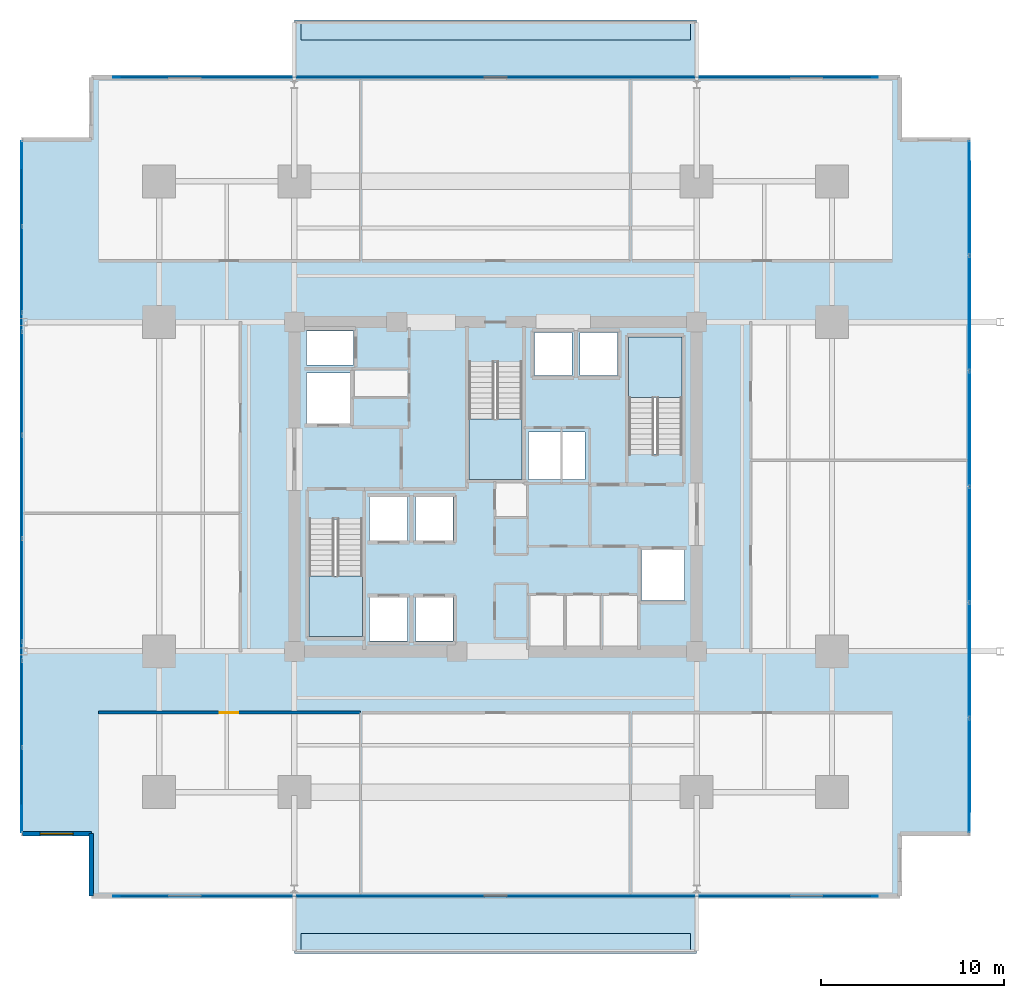
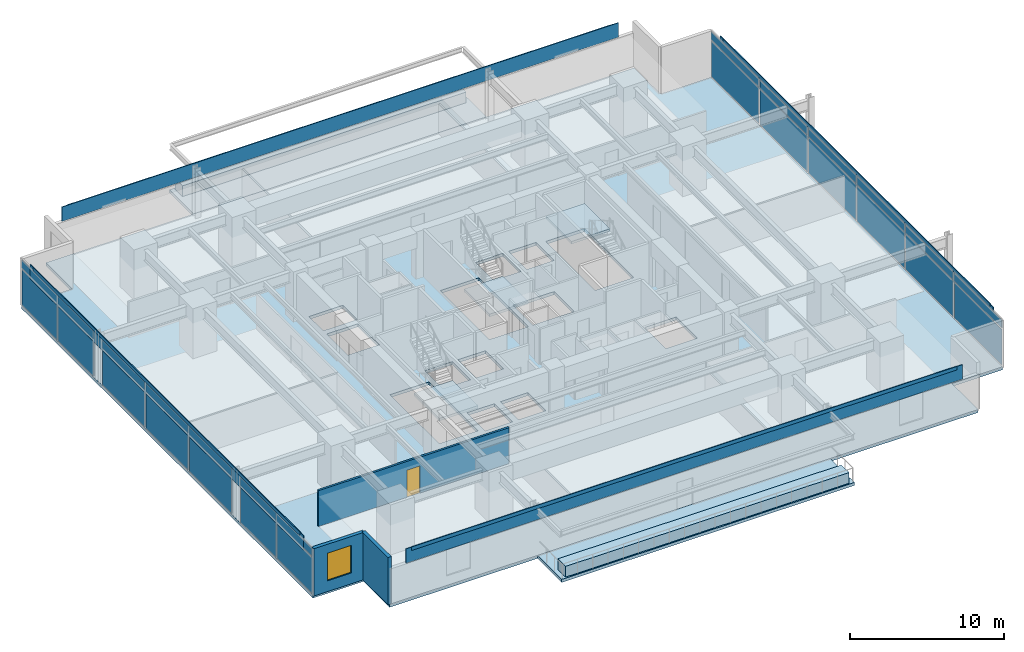
# One storey, part 14 of 23: 34 plates, 8 slabs, 3 walls, 1 door, 1 window, 2 openings, 7 elements without a shape of their own.
"""IFC4 building model written with IfcOpenShell, lengths in metres."""

from ifc_helpers import new_model, si_unit, direction, frame, frame_2d, origin, origin_2d, place, context, subcontext, project, spatial, polyline, rectangle, outline, extrude, material, layer, layer_set, type_object, element, fill, aggregate, save


model = new_model("IFC4")

# Units and contexts
model_context = context("Model", 3, precision=1e-05, world=origin(), true_north=direction((0.0, 1.0)))
body_context = subcontext(model_context, "Body", "Model", "MODEL_VIEW")
ifc_project = project(units=[si_unit("LENGTHUNIT", "METRE"), si_unit("AREAUNIT", "SQUARE_METRE"), si_unit("VOLUMEUNIT", "CUBIC_METRE"), si_unit("PLANEANGLEUNIT", "RADIAN"), si_unit("MASSUNIT", "GRAM", prefix="KILO")], contexts=[model_context])

# Site, building, storey
site_placement = place(None, origin())
site = spatial("IfcSite", under=ifc_project, at=site_placement, CompositionType="ELEMENT")
building_placement = place(site_placement, origin())
building = spatial("IfcBuilding", under=site, at=building_placement, Name="Kovane Verandah Tower", CompositionType="ELEMENT")
storey_placement = place(building_placement, frame((0.0, 0.0, 63.60009765625)))
storey = spatial("IfcBuildingStorey", under=building, at=storey_placement, Name="L14", CompositionType="ELEMENT", Elevation=63.60009765625)

# Curtain wall, plates
ifc_material_1 = material(Name="Champagne Anodised Aluminium Frame with Low-E Clear Laminated Glass", Category="aluminium")
curtain_wall_type = type_object("IfcCurtainWallType", Name="CW-SYS-02-LOW", PredefinedType="NOTDEFINED", material=ifc_material_1)
curtain_wall_1_placement = place(storey_placement, origin())
curtain_wall_1 = element("IfcCurtainWall", 1, at=curtain_wall_1_placement, inside=storey, type_object=curtain_wall_type, Name="L14 E Unitised Curtain Wall", PredefinedType="NOTDEFINED")
ifc_material_2 = material(Name="Pale Champagne Anodised Aluminium Insulated Spandrel", Category="aluminium")
ifc_layer_1 = layer(ifc_material_2, 0.0400390625)
ifc_layer_set_1 = layer_set([ifc_layer_1], Name="Pale Champagne Anodised Aluminium Insulated Spandrel")
plate_type_1 = type_object("IfcPlateType", Name="PL-CW-SPD-40", PredefinedType="SHEET", material=ifc_layer_set_1)
plate_1_placement = place(storey_placement, frame((65.906982421875, 11.6875, 3.02978515625), z_axis=(0.0, 0.0, 1.0), x_axis=(0.0, 1.0, 0.0)))
plate_1 = element("IfcPlate", 2, at=plate_1_placement, type_object=plate_type_1, Name="L14 E Unitised Curtain Wall Spandrel Panel 1", PredefinedType="SHEET", context=body_context, shape_type="SweptSolid", body=[
    extrude(rectangle(XDim=6.18505859375, YDim=0.0400390625, at=origin_2d()), origin(), (0.0, 0.0, 1.0), 0.639892578125),
])
plate_2_placement = place(storey_placement, frame((65.906982421875, 18.012451171875, 3.02978515625), z_axis=(0.0, 0.0, 1.0), x_axis=(0.0, 1.0, 0.0)))
plate_2 = element("IfcPlate", 3, at=plate_2_placement, type_object=plate_type_1, Name="L14 E Unitised Curtain Wall Spandrel Panel 2", PredefinedType="SHEET", context=body_context, shape_type="SweptSolid", body=[
    extrude(rectangle(XDim=6.18505859375, YDim=0.0400390625, at=origin_2d()), origin(), (0.0, 0.0, 1.0), 0.639892578125),
])
plate_3_placement = place(storey_placement, frame((65.906982421875, 24.33740234375, 3.02978515625), z_axis=(0.0, 0.0, 1.0), x_axis=(0.0, 1.0, 0.0)))
plate_3 = element("IfcPlate", 4, at=plate_3_placement, type_object=plate_type_1, Name="L14 E Unitised Curtain Wall Spandrel Panel 3", PredefinedType="SHEET", context=body_context, shape_type="SweptSolid", body=[
    extrude(rectangle(XDim=6.18505859375, YDim=0.0400390625, at=origin_2d()), origin(), (0.0, 0.0, 1.0), 0.639892578125),
])
plate_4_placement = place(storey_placement, frame((65.906982421875, 30.66259765625, 3.02978515625), z_axis=(0.0, 0.0, 1.0), x_axis=(0.0, 1.0, 0.0)))
plate_4 = element("IfcPlate", 5, at=plate_4_placement, type_object=plate_type_1, Name="L14 E Unitised Curtain Wall Spandrel Panel 4", PredefinedType="SHEET", context=body_context, shape_type="SweptSolid", body=[
    extrude(rectangle(XDim=6.18505859375, YDim=0.0400390625, at=origin_2d()), origin(), (0.0, 0.0, 1.0), 0.639892578125),
])
plate_5_placement = place(storey_placement, frame((65.906982421875, 36.987548828125, 3.02978515625), z_axis=(0.0, 0.0, 1.0), x_axis=(0.0, 1.0, 0.0)))
plate_5 = element("IfcPlate", 6, at=plate_5_placement, type_object=plate_type_1, Name="L14 E Unitised Curtain Wall Spandrel Panel 5", PredefinedType="SHEET", context=body_context, shape_type="SweptSolid", body=[
    extrude(rectangle(XDim=6.18505859375, YDim=0.0400390625, at=origin_2d()), origin(), (0.0, 0.0, 1.0), 0.639892578125),
])
plate_6_placement = place(storey_placement, frame((65.906982421875, 43.3125, 3.02978515625), z_axis=(0.0, 0.0, 1.0), x_axis=(0.0, 1.0, 0.0)))
plate_6 = element("IfcPlate", 7, at=plate_6_placement, type_object=plate_type_1, Name="L14 E Unitised Curtain Wall Spandrel Panel 6", PredefinedType="SHEET", context=body_context, shape_type="SweptSolid", body=[
    extrude(rectangle(XDim=6.18505859375, YDim=0.0400390625, at=origin_2d()), origin(), (0.0, 0.0, 1.0), 0.639892578125),
])

curtain_wall_2_placement = place(storey_placement, origin())
curtain_wall_2 = element("IfcCurtainWall", 8, at=curtain_wall_2_placement, inside=storey, type_object=curtain_wall_type, Name="L14 W Unitised Curtain Wall-1", PredefinedType="NOTDEFINED")
plate_7_placement = place(storey_placement, frame((14.093017578125, 44.111083984375, 3.02978515625), z_axis=(0.0, 0.0, 1.0), x_axis=(0.0, -1.0, 0.0)))
plate_7 = element("IfcPlate", 9, at=plate_7_placement, type_object=plate_type_1, Name="L14 W Unitised Curtain Wall-1 Spandrel Panel 1", PredefinedType="SHEET", context=body_context, shape_type="SweptSolid", body=[
    extrude(rectangle(XDim=4.58740234375, YDim=0.0400390625, at=origin_2d()), origin(), (0.0, 0.0, 1.0), 0.639892578125),
])
plate_8_placement = place(storey_placement, frame((14.093017578125, 39.3837890625, 3.02978515625), z_axis=(0.0, 0.0, 1.0), x_axis=(0.0, -1.0, 0.0)))
plate_8 = element("IfcPlate", 10, at=plate_8_placement, type_object=plate_type_1, Name="L14 W Unitised Curtain Wall-1 Spandrel Panel 2", PredefinedType="SHEET", context=body_context, shape_type="SweptSolid", body=[
    extrude(rectangle(XDim=4.58740234375, YDim=0.0400390625, at=origin_2d()), origin(), (0.0, 0.0, 1.0), 0.639892578125),
])

curtain_wall_3_placement = place(storey_placement, origin())
curtain_wall_3 = element("IfcCurtainWall", 11, at=curtain_wall_3_placement, inside=storey, type_object=curtain_wall_type, Name="L14 W Unitised Curtain Wall-2", PredefinedType="NOTDEFINED")
plate_9_placement = place(storey_placement, frame((14.093017578125, 33.1533203125, 3.02978515625), z_axis=(0.0, 0.0, 1.0), x_axis=(0.0, -1.0, 0.0)))
plate_9 = element("IfcPlate", 12, at=plate_9_placement, type_object=plate_type_1, Name="L14 W Unitised Curtain Wall-2 Spandrel Panel 1", PredefinedType="SHEET", context=body_context, shape_type="SweptSolid", body=[
    extrude(rectangle(XDim=5.51318359375, YDim=0.0400390625, at=origin_2d()), origin(), (0.0, 0.0, 1.0), 0.639892578125),
])
plate_10_placement = place(storey_placement, frame((14.093017578125, 27.5, 3.02978515625), z_axis=(0.0, 0.0, 1.0), x_axis=(0.0, -1.0, 0.0)))
plate_10 = element("IfcPlate", 13, at=plate_10_placement, type_object=plate_type_1, Name="L14 W Unitised Curtain Wall-2 Spandrel Panel 2", PredefinedType="SHEET", context=body_context, shape_type="SweptSolid", body=[
    extrude(rectangle(XDim=5.51318359375, YDim=0.0400390625, at=origin_2d()), origin(), (0.0, 0.0, 1.0), 0.639892578125),
])
plate_11_placement = place(storey_placement, frame((14.093017578125, 21.8466796875, 3.02978515625), z_axis=(0.0, 0.0, 1.0), x_axis=(0.0, -1.0, 0.0)))
plate_11 = element("IfcPlate", 14, at=plate_11_placement, type_object=plate_type_1, Name="L14 W Unitised Curtain Wall-2 Spandrel Panel 3", PredefinedType="SHEET", context=body_context, shape_type="SweptSolid", body=[
    extrude(rectangle(XDim=5.51318359375, YDim=0.0400390625, at=origin_2d()), origin(), (0.0, 0.0, 1.0), 0.639892578125),
])

curtain_wall_4_placement = place(storey_placement, origin())
curtain_wall_4 = element("IfcCurtainWall", 15, at=curtain_wall_4_placement, inside=storey, type_object=curtain_wall_type, Name="L14 W Unitised Curtain Wall-3", PredefinedType="NOTDEFINED")
plate_12_placement = place(storey_placement, frame((14.093017578125, 15.6162109375, 3.02978515625), z_axis=(0.0, 0.0, 1.0), x_axis=(0.0, -1.0, 0.0)))
plate_12 = element("IfcPlate", 16, at=plate_12_placement, type_object=plate_type_1, Name="L14 W Unitised Curtain Wall-3 Spandrel Panel 1", PredefinedType="SHEET", context=body_context, shape_type="SweptSolid", body=[
    extrude(rectangle(XDim=4.58740234375, YDim=0.0400390625, at=origin_2d()), origin(), (0.0, 0.0, 1.0), 0.639892578125),
])
plate_13_placement = place(storey_placement, frame((14.093017578125, 10.888916015625, 3.02978515625), z_axis=(0.0, 0.0, 1.0), x_axis=(0.0, -1.0, 0.0)))
plate_13 = element("IfcPlate", 17, at=plate_13_placement, type_object=plate_type_1, Name="L14 W Unitised Curtain Wall-3 Spandrel Panel 2", PredefinedType="SHEET", context=body_context, shape_type="SweptSolid", body=[
    extrude(rectangle(XDim=4.58740234375, YDim=0.0400390625, at=origin_2d()), origin(), (0.0, 0.0, 1.0), 0.639892578125),
])

# Plate
ifc_material_3 = material(Name="Clear Low-E Laminated Double Glazing", Category="glass")
ifc_layer_2 = layer(ifc_material_3, 0.031982421875)
ifc_layer_set_2 = layer_set([ifc_layer_2], Name="Clear Low-E Laminated Double Glazing")
plate_type_2 = type_object("IfcPlateType", Name="PL-CW-VIS-32", PredefinedType="CURTAIN_PANEL", material=ifc_layer_set_2)
plate_14_placement = place(storey_placement, frame((65.906982421875, 11.6875, 0.099853515625), z_axis=(0.0, 0.0, 1.0), x_axis=(0.0, 1.0, 0.0)))
plate_14 = element("IfcPlate", 18, at=plate_14_placement, type_object=plate_type_2, Name="L14 E Unitised Curtain Wall Vision Panel 1", PredefinedType="CURTAIN_PANEL", context=body_context, shape_type="SweptSolid", body=[
    extrude(rectangle(XDim=6.18505859375, YDim=0.031982421875, at=origin_2d()), origin(), (0.0, 0.0, 1.0), 2.830078125),
])

plate_15_placement = place(storey_placement, frame((65.906982421875, 18.012451171875, 0.099853515625), z_axis=(0.0, 0.0, 1.0), x_axis=(0.0, 1.0, 0.0)))
plate_15 = element("IfcPlate", 19, at=plate_15_placement, type_object=plate_type_2, Name="L14 E Unitised Curtain Wall Vision Panel 2", PredefinedType="CURTAIN_PANEL", context=body_context, shape_type="SweptSolid", body=[
    extrude(rectangle(XDim=6.18505859375, YDim=0.031982421875, at=origin_2d()), origin(), (0.0, 0.0, 1.0), 2.830078125),
])

plate_16_placement = place(storey_placement, frame((65.906982421875, 24.33740234375, 0.099853515625), z_axis=(0.0, 0.0, 1.0), x_axis=(0.0, 1.0, 0.0)))
plate_16 = element("IfcPlate", 20, at=plate_16_placement, type_object=plate_type_2, Name="L14 E Unitised Curtain Wall Vision Panel 3", PredefinedType="CURTAIN_PANEL", context=body_context, shape_type="SweptSolid", body=[
    extrude(rectangle(XDim=6.18505859375, YDim=0.031982421875, at=origin_2d()), origin(), (0.0, 0.0, 1.0), 2.830078125),
])

plate_17_placement = place(storey_placement, frame((65.906982421875, 30.66259765625, 0.099853515625), z_axis=(0.0, 0.0, 1.0), x_axis=(0.0, 1.0, 0.0)))
plate_17 = element("IfcPlate", 21, at=plate_17_placement, type_object=plate_type_2, Name="L14 E Unitised Curtain Wall Vision Panel 4", PredefinedType="CURTAIN_PANEL", context=body_context, shape_type="SweptSolid", body=[
    extrude(rectangle(XDim=6.18505859375, YDim=0.031982421875, at=origin_2d()), origin(), (0.0, 0.0, 1.0), 2.830078125),
])

plate_18_placement = place(storey_placement, frame((65.906982421875, 36.987548828125, 0.099853515625), z_axis=(0.0, 0.0, 1.0), x_axis=(0.0, 1.0, 0.0)))
plate_18 = element("IfcPlate", 22, at=plate_18_placement, type_object=plate_type_2, Name="L14 E Unitised Curtain Wall Vision Panel 5", PredefinedType="CURTAIN_PANEL", context=body_context, shape_type="SweptSolid", body=[
    extrude(rectangle(XDim=6.18505859375, YDim=0.031982421875, at=origin_2d()), origin(), (0.0, 0.0, 1.0), 2.830078125),
])

plate_19_placement = place(storey_placement, frame((65.906982421875, 43.3125, 0.099853515625), z_axis=(0.0, 0.0, 1.0), x_axis=(0.0, 1.0, 0.0)))
plate_19 = element("IfcPlate", 23, at=plate_19_placement, type_object=plate_type_2, Name="L14 E Unitised Curtain Wall Vision Panel 6", PredefinedType="CURTAIN_PANEL", context=body_context, shape_type="SweptSolid", body=[
    extrude(rectangle(XDim=6.18505859375, YDim=0.031982421875, at=origin_2d()), origin(), (0.0, 0.0, 1.0), 2.830078125),
])

aggregate(curtain_wall_1, [plate_14, plate_1, plate_15, plate_2, plate_16, plate_3, plate_17, plate_4, plate_18, plate_5, plate_19, plate_6])

plate_20_placement = place(storey_placement, frame((14.093017578125, 44.111083984375, 0.099853515625), z_axis=(0.0, 0.0, 1.0), x_axis=(0.0, -1.0, 0.0)))
plate_20 = element("IfcPlate", 24, at=plate_20_placement, type_object=plate_type_2, Name="L14 W Unitised Curtain Wall-1 Vision Panel 1", PredefinedType="CURTAIN_PANEL", context=body_context, shape_type="SweptSolid", body=[
    extrude(rectangle(XDim=4.58740234375, YDim=0.031982421875, at=origin_2d()), origin(), (0.0, 0.0, 1.0), 2.830078125),
])

plate_21_placement = place(storey_placement, frame((14.093017578125, 39.3837890625, 0.099853515625), z_axis=(0.0, 0.0, 1.0), x_axis=(0.0, -1.0, 0.0)))
plate_21 = element("IfcPlate", 25, at=plate_21_placement, type_object=plate_type_2, Name="L14 W Unitised Curtain Wall-1 Vision Panel 2", PredefinedType="CURTAIN_PANEL", context=body_context, shape_type="SweptSolid", body=[
    extrude(rectangle(XDim=4.58740234375, YDim=0.031982421875, at=origin_2d()), origin(), (0.0, 0.0, 1.0), 2.830078125),
])

aggregate(curtain_wall_2, [plate_20, plate_7, plate_21, plate_8])

plate_22_placement = place(storey_placement, frame((14.093017578125, 33.1533203125, 0.099853515625), z_axis=(0.0, 0.0, 1.0), x_axis=(0.0, -1.0, 0.0)))
plate_22 = element("IfcPlate", 26, at=plate_22_placement, type_object=plate_type_2, Name="L14 W Unitised Curtain Wall-2 Vision Panel 1", PredefinedType="CURTAIN_PANEL", context=body_context, shape_type="SweptSolid", body=[
    extrude(rectangle(XDim=5.51318359375, YDim=0.031982421875, at=origin_2d()), origin(), (0.0, 0.0, 1.0), 2.830078125),
])

plate_23_placement = place(storey_placement, frame((14.093017578125, 27.5, 0.099853515625), z_axis=(0.0, 0.0, 1.0), x_axis=(0.0, -1.0, 0.0)))
plate_23 = element("IfcPlate", 27, at=plate_23_placement, type_object=plate_type_2, Name="L14 W Unitised Curtain Wall-2 Vision Panel 2", PredefinedType="CURTAIN_PANEL", context=body_context, shape_type="SweptSolid", body=[
    extrude(rectangle(XDim=5.51318359375, YDim=0.031982421875, at=origin_2d()), origin(), (0.0, 0.0, 1.0), 2.830078125),
])

plate_24_placement = place(storey_placement, frame((14.093017578125, 21.8466796875, 0.099853515625), z_axis=(0.0, 0.0, 1.0), x_axis=(0.0, -1.0, 0.0)))
plate_24 = element("IfcPlate", 28, at=plate_24_placement, type_object=plate_type_2, Name="L14 W Unitised Curtain Wall-2 Vision Panel 3", PredefinedType="CURTAIN_PANEL", context=body_context, shape_type="SweptSolid", body=[
    extrude(rectangle(XDim=5.51318359375, YDim=0.031982421875, at=origin_2d()), origin(), (0.0, 0.0, 1.0), 2.830078125),
])

aggregate(curtain_wall_3, [plate_22, plate_9, plate_23, plate_10, plate_24, plate_11])

plate_25_placement = place(storey_placement, frame((14.093017578125, 15.6162109375, 0.099853515625), z_axis=(0.0, 0.0, 1.0), x_axis=(0.0, -1.0, 0.0)))
plate_25 = element("IfcPlate", 29, at=plate_25_placement, type_object=plate_type_2, Name="L14 W Unitised Curtain Wall-3 Vision Panel 1", PredefinedType="CURTAIN_PANEL", context=body_context, shape_type="SweptSolid", body=[
    extrude(rectangle(XDim=4.58740234375, YDim=0.031982421875, at=origin_2d()), origin(), (0.0, 0.0, 1.0), 2.830078125),
])

plate_26_placement = place(storey_placement, frame((14.093017578125, 10.888916015625, 0.099853515625), z_axis=(0.0, 0.0, 1.0), x_axis=(0.0, -1.0, 0.0)))
plate_26 = element("IfcPlate", 30, at=plate_26_placement, type_object=plate_type_2, Name="L14 W Unitised Curtain Wall-3 Vision Panel 2", PredefinedType="CURTAIN_PANEL", context=body_context, shape_type="SweptSolid", body=[
    extrude(rectangle(XDim=4.58740234375, YDim=0.031982421875, at=origin_2d()), origin(), (0.0, 0.0, 1.0), 2.830078125),
])

aggregate(curtain_wall_4, [plate_25, plate_12, plate_26, plate_13])

# Plates
ifc_material_4 = material(Name="Perforated Pale Champagne Anodised Aluminium Solar Screen", Category="aluminium")
ifc_layer_3 = layer(ifc_material_4, 0.050048828125)
ifc_layer_set_3 = layer_set([ifc_layer_3], Name="Perforated Pale Champagne Anodised Aluminium Solar Screen")
plate_type_3 = type_object("IfcPlateType", Name="PL-SCREEN-50", PredefinedType="USERDEFINED", material=ifc_layer_set_3)
plate_27_placement = place(storey_placement, frame((40.0, 5.110107421875, 2.85986328125), z_axis=(0.0, 0.0, 1.0), x_axis=(1.0, 0.0, 0.0)))
element("IfcPlate", 31, at=plate_27_placement, inside=storey, type_object=plate_type_3, Name="L14 S Perforated Champagne-Gold Solar Screen", ObjectType="SCREEN", PredefinedType="USERDEFINED", context=body_context, shape_type="SweptSolid", body=[
    extrude(rectangle(XDim=41.81396484375, YDim=0.050048828125, at=origin_2d()), origin(), (0.0, 0.0, 1.0), 1.14990234375),
])
plate_28_placement = place(storey_placement, frame((65.922119140625, 27.5, 2.85986328125), z_axis=(0.0, 0.0, 1.0), x_axis=(0.0, 1.0, 0.0)))
element("IfcPlate", 32, at=plate_28_placement, inside=storey, type_object=plate_type_3, Name="L14 E Perforated Champagne-Gold Solar Screen", ObjectType="SCREEN", PredefinedType="USERDEFINED", context=body_context, shape_type="SweptSolid", body=[
    extrude(rectangle(XDim=35.550048828125, YDim=0.050048828125, at=origin_2d()), origin(), (0.0, 0.0, 1.0), 1.14990234375),
])
plate_29_placement = place(storey_placement, frame((40.0, 49.889892578125, 2.85986328125), z_axis=(0.0, 0.0, 1.0), x_axis=(-1.0, 0.0, 0.0)))
element("IfcPlate", 33, at=plate_29_placement, inside=storey, type_object=plate_type_3, Name="L14 N Perforated Champagne-Gold Solar Screen", ObjectType="SCREEN", PredefinedType="USERDEFINED", context=body_context, shape_type="SweptSolid", body=[
    extrude(rectangle(XDim=41.81396484375, YDim=0.050048828125, at=origin_2d()), origin(), (0.0, 0.0, 1.0), 1.14990234375),
])
plate_30_placement = place(storey_placement, frame((14.077880859375, 27.5, 2.85986328125), z_axis=(0.0, 0.0, 1.0), x_axis=(0.0, -1.0, 0.0)))
element("IfcPlate", 34, at=plate_30_placement, inside=storey, type_object=plate_type_3, Name="L14 W Perforated Champagne-Gold Solar Screen", ObjectType="SCREEN", PredefinedType="USERDEFINED", context=body_context, shape_type="SweptSolid", body=[
    extrude(rectangle(XDim=35.550048828125, YDim=0.050048828125, at=origin_2d()), origin(), (0.0, 0.0, 1.0), 1.14990234375),
])
ifc_material_5 = material(Name="Extruded Pale-Bronze Aluminium Aerofoil Sunshade", Category="aluminium")
ifc_layer_4 = layer(ifc_material_5, 0.06005859375)
ifc_layer_set_4 = layer_set([ifc_layer_4], Name="Extruded Pale-Bronze Aluminium Aerofoil Sunshade")
plate_type_4 = type_object("IfcPlateType", Name="PL-SUNSHADE-60", PredefinedType="USERDEFINED", material=ifc_layer_set_4)
plate_31_placement = place(storey_placement, frame((40.0, 5.10498046875, 3.73974609375), z_axis=(0.0, 0.0, 1.0), x_axis=(1.0, 0.0, 0.0)))
element("IfcPlate", 35, at=plate_31_placement, inside=storey, type_object=plate_type_4, Name="L14 S Subtropical Aerofoil Sunshade", ObjectType="SUNSHADE", PredefinedType="USERDEFINED", context=body_context, shape_type="SweptSolid", body=[
    extrude(rectangle(XDim=41.013916015625, YDim=0.06005859375, at=origin_2d()), origin(), (0.0, 0.0, 1.0), 0.280029296875),
])
plate_32_placement = place(storey_placement, frame((65.927001953125, 27.5, 3.73974609375), z_axis=(0.0, 0.0, 1.0), x_axis=(0.0, 1.0, 0.0)))
element("IfcPlate", 36, at=plate_32_placement, inside=storey, type_object=plate_type_4, Name="L14 E Subtropical Aerofoil Sunshade", ObjectType="SUNSHADE", PredefinedType="USERDEFINED", context=body_context, shape_type="SweptSolid", body=[
    extrude(rectangle(XDim=34.75, YDim=0.06005859375, at=origin_2d()), origin(), (0.0, 0.0, 1.0), 0.280029296875),
])
plate_33_placement = place(storey_placement, frame((40.0, 49.89501953125, 3.73974609375), z_axis=(0.0, 0.0, 1.0), x_axis=(-1.0, 0.0, 0.0)))
element("IfcPlate", 37, at=plate_33_placement, inside=storey, type_object=plate_type_4, Name="L14 N Subtropical Aerofoil Sunshade", ObjectType="SUNSHADE", PredefinedType="USERDEFINED", context=body_context, shape_type="SweptSolid", body=[
    extrude(rectangle(XDim=41.013916015625, YDim=0.06005859375, at=origin_2d()), origin(), (0.0, 0.0, 1.0), 0.280029296875),
])
plate_34_placement = place(storey_placement, frame((14.072998046875, 27.5, 3.73974609375), z_axis=(0.0, 0.0, 1.0), x_axis=(0.0, -1.0, 0.0)))
element("IfcPlate", 38, at=plate_34_placement, inside=storey, type_object=plate_type_4, Name="L14 W Subtropical Aerofoil Sunshade", ObjectType="SUNSHADE", PredefinedType="USERDEFINED", context=body_context, shape_type="SweptSolid", body=[
    extrude(rectangle(XDim=34.75, YDim=0.06005859375, at=origin_2d()), origin(), (0.0, 0.0, 1.0), 0.280029296875),
])

# Slabs
ifc_material_6 = material(Name="Concrete C45/55", Category="concrete")
ifc_layer_5 = layer(ifc_material_6, 0.239990234375)
ifc_layer_set_5 = layer_set([ifc_layer_5], Name="Concrete C45/55")
slab_type_1 = type_object("IfcSlabType", Name="SL-BALC-240", PredefinedType="FLOOR", material=ifc_layer_set_5)
slab_1_placement = place(storey_placement, frame((0.0, 0.0, -0.239990234375)))
element("IfcSlab", 39, at=slab_1_placement, inside=storey, type_object=slab_type_1, Name="L14 N Planted Verandah Balcony Slab", PredefinedType="FLOOR", context=body_context, shape_type="SweptSolid", body=[
    extrude(outline(polyline([(29.0, 49.875), (51.0, 49.875), (51.0, 53.02490234375), (29.0, 53.02490234375), (29.0, 49.875)])), origin(), (0.0, 0.0, 1.0), 0.239990234375),
])
slab_2_placement = place(storey_placement, frame((0.0, 0.0, -0.239990234375)))
element("IfcSlab", 40, at=slab_2_placement, inside=storey, type_object=slab_type_1, Name="L14 S Planted Verandah Balcony Slab", PredefinedType="FLOOR", context=body_context, shape_type="SweptSolid", body=[
    extrude(outline(polyline([(29.0, 1.97509765625), (51.0, 1.97509765625), (51.0, 5.125), (29.0, 5.125), (29.0, 1.97509765625)])), origin(), (0.0, 0.0, 1.0), 0.239990234375),
])

# Stair, slab
stair_type = type_object("IfcStairType", Name="ST-CORE-1380", PredefinedType="HALF_TURN_STAIR", material=ifc_material_6)
stair_1_placement = place(storey_placement, origin())
stair_1 = element("IfcStair", 41, at=stair_1_placement, inside=storey, type_object=stair_type, Name="L14 Exit Stair ST-01", PredefinedType="HALF_TURN_STAIR")
ifc_layer_6 = layer(ifc_material_6, 0.199951171875)
ifc_layer_set_6 = layer_set([ifc_layer_6], Name="Concrete C45/55")
slab_type_2 = type_object("IfcSlabType", Name="SL-LAND-200", PredefinedType="LANDING", material=ifc_layer_set_6)
slab_3_placement = place(storey_placement, frame((0.0, 0.0, 1.7998046875)))
slab_3 = element("IfcSlab", 42, at=slab_3_placement, type_object=slab_type_2, Name="ST-01 landing 1", PredefinedType="LANDING", context=body_context, shape_type="SweptSolid", body=[
    extrude(outline(polyline([(29.800048828125, 22.614990234375), (29.800048828125, 19.300048828125), (32.719970703125, 19.300048828125), (32.719970703125, 22.614990234375), (29.800048828125, 22.614990234375)])), origin(), (0.0, 0.0, 1.0), 0.2001953125),
])
aggregate(stair_1, [slab_3])

stair_2_placement = place(storey_placement, origin())
stair_2 = element("IfcStair", 43, at=stair_2_placement, inside=storey, type_object=stair_type, Name="L14 Exit Stair ST-02", PredefinedType="HALF_TURN_STAIR")
slab_4_placement = place(storey_placement, frame((0.0, 0.0, 1.7998046875)))
slab_4 = element("IfcSlab", 44, at=slab_4_placement, type_object=slab_type_2, Name="ST-02 landing 1", PredefinedType="LANDING", context=body_context, shape_type="SweptSolid", body=[
    extrude(outline(polyline([(50.199951171875, 32.385009765625), (50.199951171875, 35.699951171875), (47.280029296875, 35.699951171875), (47.280029296875, 32.385009765625), (50.199951171875, 32.385009765625)])), origin(), (0.0, 0.0, 1.0), 0.2001953125),
])
aggregate(stair_2, [slab_4])

stair_3_placement = place(storey_placement, origin())
stair_3 = element("IfcStair", 45, at=stair_3_placement, inside=storey, type_object=stair_type, Name="L14 Exit Stair ST-03", PredefinedType="HALF_TURN_STAIR")
slab_5_placement = place(storey_placement, frame((0.0, 0.0, 1.7998046875)))
slab_5 = element("IfcSlab", 46, at=slab_5_placement, type_object=slab_type_2, Name="ST-03 landing 1", PredefinedType="LANDING", context=body_context, shape_type="SweptSolid", body=[
    extrude(outline(polyline([(38.5400390625, 31.215087890625), (38.5400390625, 27.89990234375), (41.4599609375, 27.89990234375), (41.4599609375, 31.215087890625), (38.5400390625, 31.215087890625)])), origin(), (0.0, 0.0, 1.0), 0.2001953125),
])
aggregate(stair_3, [slab_5])

# Slabs
ifc_material_7 = material(Name="Architectural Precast Concrete C45/55 Planter Trough", Category="concrete")
ifc_layer_7 = layer(ifc_material_7, 0.219970703125)
ifc_layer_set_7 = layer_set([ifc_layer_7], Name="Architectural Precast Concrete C45/55 Planter Trough")
slab_type_3 = type_object("IfcSlabType", Name="SL-PLANTER-220", PredefinedType="USERDEFINED", material=ifc_layer_set_7)
slab_6_placement = place(storey_placement, origin())
element("IfcSlab", 47, at=slab_6_placement, inside=storey, type_object=slab_type_3, Name="L14 N Structural Tree Planter", ObjectType="PLANTER", PredefinedType="USERDEFINED", context=body_context, shape_type="SweptSolid", body=[
    extrude(outline(polyline([(29.35009765625, 51.925048828125), (50.64990234375, 51.925048828125), (50.64990234375, 52.925048828125), (29.35009765625, 52.925048828125), (29.35009765625, 51.925048828125)])), origin(), (0.0, 0.0, 1.0), 0.849853515625),
])
slab_7_placement = place(storey_placement, origin())
element("IfcSlab", 48, at=slab_7_placement, inside=storey, type_object=slab_type_3, Name="L14 S Structural Tree Planter", ObjectType="PLANTER", PredefinedType="USERDEFINED", context=body_context, shape_type="SweptSolid", body=[
    extrude(outline(polyline([(29.35009765625, 2.074951171875), (50.64990234375, 2.074951171875), (50.64990234375, 3.074951171875), (29.35009765625, 3.074951171875), (29.35009765625, 2.074951171875)])), origin(), (0.0, 0.0, 1.0), 0.849853515625),
])
ifc_layer_8 = layer(ifc_material_6, 0.239990234375)
ifc_layer_set_8 = layer_set([ifc_layer_8], Name="Concrete C45/55")
slab_type_4 = type_object("IfcSlabType", Name="SL-TYP-240", PredefinedType="FLOOR", material=ifc_layer_set_8)
slab_8_placement = place(storey_placement, frame((0.0, 0.0, -0.239990234375)))
element("IfcSlab", 49, at=slab_8_placement, inside=storey, type_object=slab_type_4, Name="L14 Structural Floor Slab", PredefinedType="FLOOR", context=body_context, shape_type="SweptSolid", body=[
    extrude(outline(polyline([(17.892822265625, 5.125), (62.107177734375, 5.125), (62.107177734375, 8.52490234375), (65.906982421875, 8.52490234375), (65.906982421875, 46.47509765625), (62.107177734375, 46.47509765625), (62.107177734375, 49.875), (17.892822265625, 49.875), (17.892822265625, 46.47509765625), (14.093017578125, 46.47509765625), (14.093017578125, 8.52490234375), (17.892822265625, 8.52490234375), (17.892822265625, 5.125)]), holes=[polyline([(29.800048828125, 19.300048828125), (32.719970703125, 19.300048828125), (32.719970703125, 25.705078125), (29.800048828125, 25.705078125), (29.800048828125, 19.300048828125)]), polyline([(47.280029296875, 29.294921875), (50.199951171875, 29.294921875), (50.199951171875, 35.699951171875), (47.280029296875, 35.699951171875), (47.280029296875, 29.294921875)]), polyline([(38.5400390625, 27.89990234375), (41.4599609375, 27.89990234375), (41.4599609375, 34.304931640625), (38.5400390625, 34.304931640625), (38.5400390625, 27.89990234375)]), polyline([(29.669921875, 30.969970703125), (32.030029296875, 30.969970703125), (32.030029296875, 33.72998046875), (29.669921875, 33.72998046875), (29.669921875, 30.969970703125)]), polyline([(47.969970703125, 21.27001953125), (50.330078125, 21.27001953125), (50.330078125, 24.030029296875), (47.969970703125, 24.030029296875), (47.969970703125, 21.27001953125)]), polyline([(29.669921875, 34.169921875), (32.22998046875, 34.169921875), (32.22998046875, 36.030029296875), (29.669921875, 36.030029296875), (29.669921875, 34.169921875)]), polyline([(33.1201171875, 19.070068359375), (35.179931640625, 19.070068359375), (35.179931640625, 21.429931640625), (33.1201171875, 21.429931640625), (33.1201171875, 19.070068359375)]), polyline([(35.6201171875, 19.070068359375), (37.679931640625, 19.070068359375), (37.679931640625, 21.429931640625), (35.6201171875, 21.429931640625), (35.6201171875, 19.070068359375)]), polyline([(33.1201171875, 24.570068359375), (35.179931640625, 24.570068359375), (35.179931640625, 26.929931640625), (33.1201171875, 26.929931640625), (33.1201171875, 24.570068359375)]), polyline([(35.6201171875, 24.570068359375), (37.679931640625, 24.570068359375), (37.679931640625, 26.929931640625), (35.6201171875, 26.929931640625), (35.6201171875, 24.570068359375)]), polyline([(42.1201171875, 33.570068359375), (44.179931640625, 33.570068359375), (44.179931640625, 35.929931640625), (42.1201171875, 35.929931640625), (42.1201171875, 33.570068359375)]), polyline([(44.6201171875, 33.570068359375), (46.679931640625, 33.570068359375), (46.679931640625, 35.929931640625), (44.6201171875, 35.929931640625), (44.6201171875, 33.570068359375)]), polyline([(41.800048828125, 27.89990234375), (44.89990234375, 27.89990234375), (44.89990234375, 30.5), (41.800048828125, 30.5), (41.800048828125, 27.89990234375)])]), origin(), (0.0, 0.0, 1.0), 0.239990234375),
])

# Wall, opening, door
ifc_material_8 = material(Name="Fire-Rated Gypsum Stud Partition", Category="gypsum")
ifc_layer_9 = layer(ifc_material_8, 0.14990234375)
ifc_layer_set_9 = layer_set([ifc_layer_9], Name="Fire-Rated Gypsum Stud Partition")
wall_type_1 = type_object("IfcWallType", Name="WL-COR-150", PredefinedType="PARTITIONING", material=ifc_layer_set_9)
wall_1_placement = place(storey_placement, frame((18.29296875, 15.14990234375, 0.0), z_axis=(0.0, 0.0, 1.0), x_axis=(1.0, 0.0, 0.0)))
wall_1 = element("IfcWall", 50, at=wall_1_placement, inside=storey, type_object=wall_type_1, Name="L14 Collaboration Hub S1 Corridor Partition", PredefinedType="PARTITIONING", context=body_context, shape_type="SweptSolid", body=[
    extrude(rectangle(XDim=14.32666015625, YDim=0.14990234375, at=frame_2d((7.163330078125, 0.0))), origin(), (0.0, 0.0, 1.0), 2.849853515625),
])
opening_1_placement = place(wall_1_placement, frame((6.62841796875, 0.0, 0.0)))
opening_1 = element("IfcOpeningElement", 51, at=opening_1_placement, cuts=wall_1, Name="Opening DR-L14-024", PredefinedType="OPENING", context=body_context, shape_type="SweptSolid", body=[
    extrude(rectangle(XDim=1.0, YDim=2.14990234375, at=frame_2d((0.5, 1.074951171875))), frame((0.0, 0.074951171875, 0.0), z_axis=(0.0, -1.0, 0.0), x_axis=(1.0, 0.0, 0.0)), (0.0, 0.0, 1.0), 0.14990234375),
])
ifc_material_9 = material(Name="FSC Spotted-Gum Timber Fire-Rated Office Door", Category="wood")
door_type = type_object("IfcDoorType", Name="DR-OFF-1000", OperationType="SINGLE_SWING_LEFT", PredefinedType="DOOR", material=ifc_material_9)
door_placement = place(opening_1_placement, origin())
door = element("IfcDoor", 52, at=door_placement, inside=storey, type_object=door_type, Name="L14 Collaboration Hub S1 Entrance Door", OperationType="SINGLE_SWING_RIGHT", OverallHeight=2.14990234375, OverallWidth=1.0, PredefinedType="DOOR", context=body_context, shape_type="SweptSolid", body=[
    extrude(rectangle(XDim=1.0, YDim=2.14990234375, at=frame_2d((0.5, 1.074951171875))), frame((0.0, 0.02490234375, 0.0), z_axis=(0.0, -1.0, 0.0), x_axis=(1.0, 0.0, 0.0)), (0.0, 0.0, 1.0), 0.050048828125),
])
fill(opening_1, door)

# Wall, opening, window
ifc_material_10 = material(Name="Concrete C45/55 Insulated Spandrel Wall", Category="concrete")
ifc_layer_10 = layer(ifc_material_10, 0.260009765625)
ifc_layer_set_10 = layer_set([ifc_layer_10], Name="Concrete C45/55 Insulated Spandrel Wall")
wall_type_2 = type_object("IfcWallType", Name="WL-SPANDREL-260", PredefinedType="PARAPET", material=ifc_layer_set_10)
wall_2_placement = place(storey_placement, frame((14.093017578125, 8.52490234375, 0.0), z_axis=(0.0, 0.0, 1.0), x_axis=(1.0, 0.0, 0.0)))
wall_2 = element("IfcWall", 53, at=wall_2_placement, inside=storey, type_object=wall_type_2, Name="L14 SW Notch Cheek Wall 1", PredefinedType="PARAPET", context=body_context, shape_type="SweptSolid", body=[
    extrude(rectangle(XDim=3.7998046875, YDim=0.260009765625, at=frame_2d((1.89990234375, 0.0))), origin(), (0.0, 0.0, 1.0), 3.760009765625),
])
opening_2_placement = place(wall_2_placement, frame((1.0, 0.0, 0.85009765625)))
opening_2 = element("IfcOpeningElement", 54, at=opening_2_placement, cuts=wall_2, Name="Opening W-03", PredefinedType="OPENING", context=body_context, shape_type="SweptSolid", body=[
    extrude(rectangle(XDim=1.800048828125, YDim=2.199951171875, at=frame_2d((0.89990234375, 1.10009765625))), frame((0.0, 0.1298828125, 0.0), z_axis=(0.0, -1.0, 0.0), x_axis=(1.0, 0.0, 0.0)), (0.0, 0.0, 1.0), 0.260009765625),
])
ifc_material_11 = material(Name="Clear Low-E Laminated Double Glazing in Anodised Frame", Category="glass")
window_type = type_object("IfcWindowType", Name="WN-NOTCH-1800x2200", PartitioningType="SINGLE_PANEL", PredefinedType="WINDOW", material=ifc_material_11)
window_placement = place(opening_2_placement, origin())
window = element("IfcWindow", 55, at=window_placement, inside=storey, type_object=window_type, Name="L14 SW Re-Entrant Corner Operable Window", OverallHeight=2.199951171875, OverallWidth=1.800048828125, PartitioningType="SINGLE_PANEL", PredefinedType="WINDOW", context=body_context, shape_type="SweptSolid", body=[
    extrude(rectangle(XDim=1.800048828125, YDim=2.199951171875, at=frame_2d((0.89990234375, 1.10009765625))), frame((0.0, 0.030029296875, 0.0), z_axis=(0.0, -1.0, 0.0), x_axis=(1.0, 0.0, 0.0)), (0.0, 0.0, 1.0), 0.06005859375),
])
fill(opening_2, window)

# Wall
wall_3_placement = place(storey_placement, frame((17.892822265625, 8.52490234375, 0.0), z_axis=(0.0, 0.0, 1.0), x_axis=(0.0, -1.0, 0.0)))
element("IfcWall", 56, at=wall_3_placement, inside=storey, type_object=wall_type_2, Name="L14 SW Notch Cheek Wall 2", PredefinedType="PARAPET", context=body_context, shape_type="SweptSolid", body=[
    extrude(rectangle(XDim=3.39990234375, YDim=0.260009765625, at=frame_2d((1.699951171875, 0.0))), origin(), (0.0, 0.0, 1.0), 3.760009765625),
])

save(model, "model.ifc")
